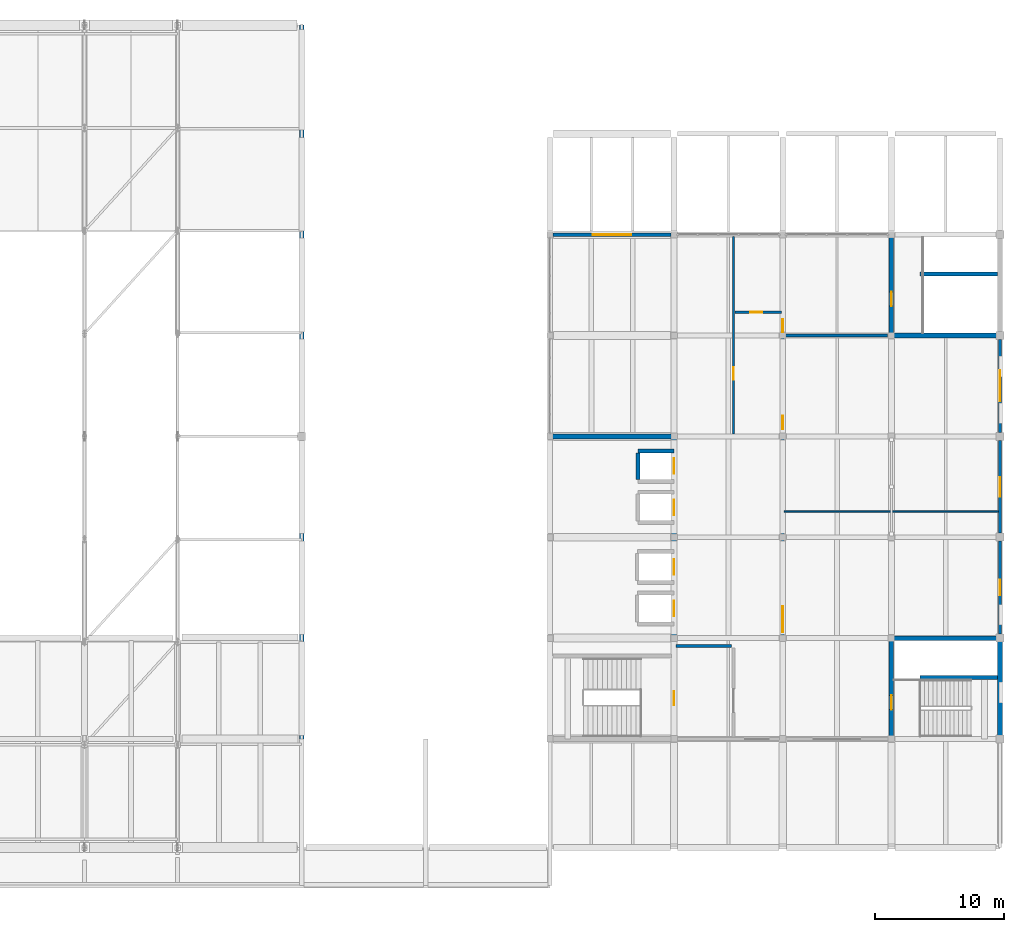
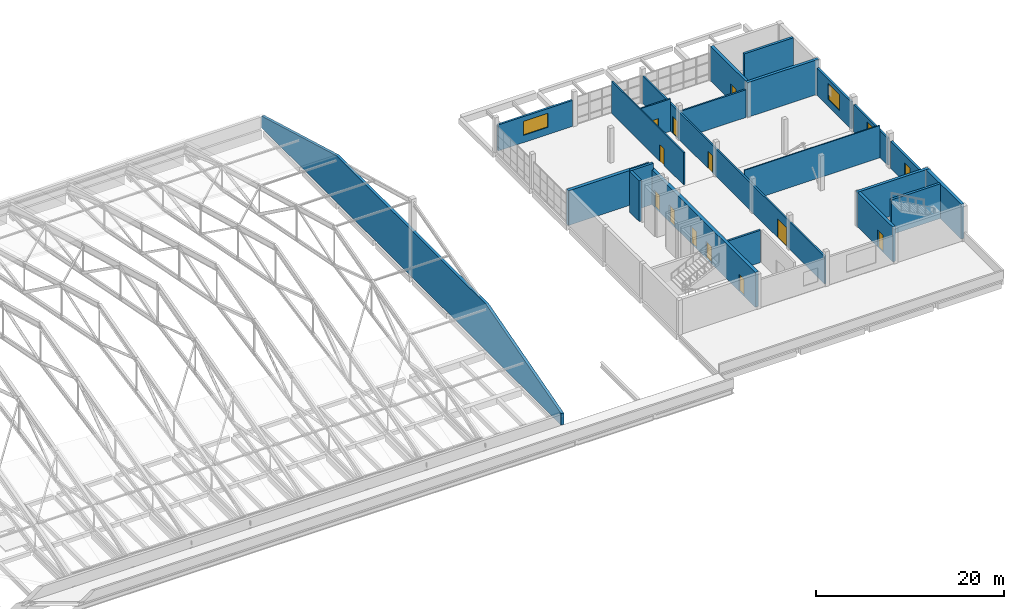
# One storey, part 50 of 53: 22 walls, 12 doors, 4 windows, 16 openings.
"""IFC4 building model written with IfcOpenShell, lengths in metres."""

from ifc_helpers import new_model, si_unit, direction, frame, frame_2d, origin, place, context, subcontext, project, spatial, polyline, rectangle, outline, extrude, material, layer, layer_set, type_object, element, fill, save


model = new_model("IFC4")

# Units and contexts
model_context = context("Model", 3, precision=1e-05, world=origin(), true_north=direction((0.0, 1.0)))
body_context = subcontext(model_context, "Body", "Model", "MODEL_VIEW")
ifc_project = project(units=[si_unit("LENGTHUNIT", "METRE"), si_unit("AREAUNIT", "SQUARE_METRE"), si_unit("VOLUMEUNIT", "CUBIC_METRE"), si_unit("PLANEANGLEUNIT", "RADIAN"), si_unit("MASSUNIT", "GRAM", prefix="KILO")], contexts=[model_context])

# Site, building, storey
site_placement = place(None, origin())
site = spatial("IfcSite", under=ifc_project, at=site_placement, CompositionType="ELEMENT")
building_placement = place(site_placement, origin())
building = spatial("IfcBuilding", under=site, at=building_placement, Name="Pellamere Symphony Hall", CompositionType="ELEMENT")
storey_placement = place(building_placement, frame((0.0, 0.0, 24.0)))
storey = spatial("IfcBuildingStorey", under=building, at=storey_placement, Name="L05", CompositionType="ELEMENT", Elevation=24.0)

# Wall, opening, window
ifc_material_1 = material(Name="Insulated Zinc Rainscreen Backing Wall Assembly", Category="aluminium")
ifc_layer_1 = layer(ifc_material_1, 0.25, Name="Insulated Zinc Rainscreen Backing Wall Assembly")
ifc_layer_set_1 = layer_set([ifc_layer_1], Name="Insulated Zinc Rainscreen Backing Wall Assembly")
wall_type_1 = type_object("IfcWallType", Name="Exterior Wall EW-04 250mm", PredefinedType="SOLIDWALL", material=ifc_layer_set_1)
wall_1_placement = place(storey_placement, frame((138.25, 77.39990234375, 0.0), z_axis=(0.0, 0.0, 1.0), x_axis=(1.0, 0.0, 0.0)))
wall_1 = element("IfcWall", 1, at=wall_1_placement, inside=storey, type_object=wall_type_1, Name="Exterior Wall EW-04-135 (L05)", PredefinedType="SOLIDWALL", context=body_context, shape_type="SweptSolid", body=[
    extrude(rectangle(XDim=9.10009765625, YDim=0.25, at=frame_2d((4.550048828125, 0.0))), origin(), (0.0, 0.0, 1.0), 3.3701171875),
])
opening_1_placement = place(wall_1_placement, frame((3.050048828125, 0.0, 0.949951171875)))
opening_1 = element("IfcOpeningElement", 2, at=opening_1_placement, cuts=wall_1, Name="Opening W094", PredefinedType="OPENING", context=body_context, shape_type="SweptSolid", body=[
    extrude(rectangle(XDim=3.0, YDim=1.800048828125, at=frame_2d((1.5, 0.89990234375))), frame((0.0, 0.135009765625, 0.0), z_axis=(0.0, -1.0, 0.0), x_axis=(1.0, 0.0, 0.0)), (0.0, 0.0, 1.0), 0.27001953125),
])
ifc_material_2 = material(Name="Thermally Broken Aluminium Triple-Glazed Acoustic Window", Category="aluminium")
window_type_1 = type_object("IfcWindowType", Name="Window WN-16 3000x1800", PartitioningType="TRIPLE_PANEL_VERTICAL", PredefinedType="WINDOW", material=ifc_material_2)
window_1_placement = place(opening_1_placement, origin())
window_1 = element("IfcWindow", 3, at=window_1_placement, inside=storey, type_object=window_type_1, Name="Exterior Window W094 (L05)", OverallHeight=1.800048828125, OverallWidth=3.0, PartitioningType="SINGLE_PANEL", PredefinedType="WINDOW", context=body_context, shape_type="SweptSolid", body=[
    extrude(rectangle(XDim=3.0, YDim=1.800048828125, at=frame_2d((1.5, 0.89990234375))), frame((0.0, 0.030029296875, 0.0), z_axis=(0.0, -1.0, 0.0), x_axis=(1.0, 0.0, 0.0)), (0.0, 0.0, 1.0), 0.06005859375),
])
fill(opening_1, window_1)

wall_2_placement = place(storey_placement, frame((172.800048828125, 46.510009765625, 0.0), z_axis=(0.0, 0.0, 1.0), x_axis=(0.0, 1.0, 0.0)))
wall_2 = element("IfcWall", 4, at=wall_2_placement, inside=storey, type_object=wall_type_1, Name="Exterior Wall EW-04-136 (L05)", PredefinedType="SOLIDWALL", context=body_context, shape_type="SweptSolid", body=[
    extrude(rectangle(XDim=7.179931640625, YDim=0.25, at=frame_2d((3.58984375, 0.0))), origin(), (0.0, 0.0, 1.0), 3.52001953125),
])
opening_2_placement = place(wall_2_placement, frame((2.989990234375, 0.0, 0.89990234375)))
opening_2 = element("IfcOpeningElement", 5, at=opening_2_placement, cuts=wall_2, Name="Opening W095", PredefinedType="OPENING", context=body_context, shape_type="SweptSolid", body=[
    extrude(rectangle(XDim=1.199951171875, YDim=1.64990234375, at=frame_2d((0.60009765625, 0.824951171875))), frame((0.0, 0.135009765625, 0.0), z_axis=(0.0, -1.0, 0.0), x_axis=(1.0, 0.0, 0.0)), (0.0, 0.0, 1.0), 0.27001953125),
])
window_type_2 = type_object("IfcWindowType", Name="Window WN-07 1200x1650", PartitioningType="SINGLE_PANEL", PredefinedType="WINDOW", material=ifc_material_2)
window_2_placement = place(opening_2_placement, origin())
window_2 = element("IfcWindow", 6, at=window_2_placement, inside=storey, type_object=window_type_2, Name="Exterior Window W095 (L05)", OverallHeight=1.64990234375, OverallWidth=1.199951171875, PartitioningType="SINGLE_PANEL", PredefinedType="WINDOW", context=body_context, shape_type="SweptSolid", body=[
    extrude(rectangle(XDim=1.199951171875, YDim=1.64990234375, at=frame_2d((0.60009765625, 0.824951171875))), frame((0.0, 0.030029296875, 0.0), z_axis=(0.0, -1.0, 0.0), x_axis=(1.0, 0.0, 0.0)), (0.0, 0.0, 1.0), 0.06005859375),
])
fill(opening_2, window_2)

wall_3_placement = place(storey_placement, frame((172.800048828125, 54.31005859375, 0.0), z_axis=(0.0, 0.0, 1.0), x_axis=(0.0, 1.0, 0.0)))
wall_3 = element("IfcWall", 7, at=wall_3_placement, inside=storey, type_object=wall_type_1, Name="Exterior Wall EW-04-137 (L05)", PredefinedType="SOLIDWALL", context=body_context, shape_type="SweptSolid", body=[
    extrude(rectangle(XDim=7.179931640625, YDim=0.25, at=frame_2d((3.58984375, 0.0))), origin(), (0.0, 0.0, 1.0), 3.52001953125),
])
opening_3_placement = place(wall_3_placement, frame((2.840087890625, 0.0, 0.89990234375)))
opening_3 = element("IfcOpeningElement", 8, at=opening_3_placement, cuts=wall_3, Name="Opening W096", PredefinedType="OPENING", context=body_context, shape_type="SweptSolid", body=[
    extrude(rectangle(XDim=1.5, YDim=2.10009765625, at=frame_2d((0.75, 1.050048828125))), frame((0.0, 0.135009765625, 0.0), z_axis=(0.0, -1.0, 0.0), x_axis=(1.0, 0.0, 0.0)), (0.0, 0.0, 1.0), 0.27001953125),
])
window_type_3 = type_object("IfcWindowType", Name="Window WN-01 1500x2100", PartitioningType="SINGLE_PANEL", PredefinedType="WINDOW", material=ifc_material_2)
window_3_placement = place(opening_3_placement, origin())
window_3 = element("IfcWindow", 9, at=window_3_placement, inside=storey, type_object=window_type_3, Name="Exterior Window W096 (L05)", OverallHeight=2.10009765625, OverallWidth=1.5, PartitioningType="SINGLE_PANEL", PredefinedType="WINDOW", context=body_context, shape_type="SweptSolid", body=[
    extrude(rectangle(XDim=1.5, YDim=2.10009765625, at=frame_2d((0.75, 1.050048828125))), frame((0.0, 0.030029296875, 0.0), z_axis=(0.0, -1.0, 0.0), x_axis=(1.0, 0.0, 0.0)), (0.0, 0.0, 1.0), 0.06005859375),
])
fill(opening_3, window_3)

wall_4_placement = place(storey_placement, frame((172.800048828125, 62.110107421875, 0.0), z_axis=(0.0, 0.0, 1.0), x_axis=(0.0, 1.0, 0.0)))
wall_4 = element("IfcWall", 10, at=wall_4_placement, inside=storey, type_object=wall_type_1, Name="Exterior Wall EW-04-138 (L05)", PredefinedType="SOLIDWALL", context=body_context, shape_type="SweptSolid", body=[
    extrude(rectangle(XDim=7.179931640625, YDim=0.25, at=frame_2d((3.58984375, 0.0))), origin(), (0.0, 0.0, 1.0), 3.52001953125),
])
opening_4_placement = place(wall_4_placement, frame((2.389892578125, 0.0, 0.89990234375)))
opening_4 = element("IfcOpeningElement", 11, at=opening_4_placement, cuts=wall_4, Name="Opening W097", PredefinedType="OPENING", context=body_context, shape_type="SweptSolid", body=[
    extrude(rectangle(XDim=2.39990234375, YDim=2.10009765625, at=frame_2d((1.199951171875, 1.050048828125))), frame((0.0, 0.135009765625, 0.0), z_axis=(0.0, -1.0, 0.0), x_axis=(1.0, 0.0, 0.0)), (0.0, 0.0, 1.0), 0.27001953125),
])
window_type_4 = type_object("IfcWindowType", Name="Window WN-02 2400x2100", PartitioningType="DOUBLE_PANEL_VERTICAL", PredefinedType="WINDOW", material=ifc_material_2)
window_4_placement = place(opening_4_placement, origin())
window_4 = element("IfcWindow", 12, at=window_4_placement, inside=storey, type_object=window_type_4, Name="Exterior Window W097 (L05)", OverallHeight=2.10009765625, OverallWidth=2.39990234375, PartitioningType="SINGLE_PANEL", PredefinedType="WINDOW", context=body_context, shape_type="SweptSolid", body=[
    extrude(rectangle(XDim=2.39990234375, YDim=2.10009765625, at=frame_2d((1.199951171875, 1.050048828125))), frame((0.0, 0.030029296875, 0.0), z_axis=(0.0, -1.0, 0.0), x_axis=(1.0, 0.0, 0.0)), (0.0, 0.0, 1.0), 0.06005859375),
])
fill(opening_4, window_4)

# Wall
ifc_material_3 = material(Name="Double-Stud STC-65 Acoustic Drywall Partition", Category="gypsum")
ifc_layer_2 = layer(ifc_material_3, 0.239990234375, Name="Double-Stud STC-65 Acoustic Drywall Partition")
ifc_layer_set_2 = layer_set([ifc_layer_2], Name="Double-Stud STC-65 Acoustic Drywall Partition")
wall_type_2 = type_object("IfcWallType", Name="Interior Partition IW-01 240mm", PredefinedType="PARTITIONING", material=ifc_layer_set_2)
wall_5_placement = place(storey_placement, frame((147.760009765625, 45.60009765625, 0.0), z_axis=(0.0, 0.0, 1.0), x_axis=(1.0, 0.0, 0.0)))
element("IfcWall", 13, at=wall_5_placement, inside=storey, type_object=wall_type_2, Name="Interior Partition IW-01-039 (L05)", PredefinedType="PARTITIONING", context=body_context, shape_type="SweptSolid", body=[
    extrude(rectangle(XDim=4.280029296875, YDim=0.239990234375, at=frame_2d((2.14013671875, 0.0))), origin(), (0.0, 0.0, 1.0), 4.18994140625),
])

# Wall, openings, doors
ifc_material_4 = material(Name="Fire-Rated STC-58 Corridor Acoustic Partition", Category="gypsum")
ifc_layer_3 = layer(ifc_material_4, 0.199951171875, Name="Fire-Rated STC-58 Corridor Acoustic Partition")
ifc_layer_set_3 = layer_set([ifc_layer_3], Name="Fire-Rated STC-58 Corridor Acoustic Partition")
wall_type_3 = type_object("IfcWallType", Name="Interior Partition IW-02 200mm", PredefinedType="PARTITIONING", material=ifc_layer_set_3)
wall_6_placement = place(storey_placement, frame((156.0, 38.659912109375, 0.0), z_axis=(0.0, 0.0, 1.0), x_axis=(0.0, 1.0, 0.0)))
wall_6 = element("IfcWall", 14, at=wall_6_placement, inside=storey, type_object=wall_type_3, Name="Interior Partition IW-02-109 (L05)", PredefinedType="PARTITIONING", context=body_context, shape_type="SweptSolid", body=[
    extrude(rectangle(XDim=38.610107421875, YDim=0.199951171875, at=frame_2d((19.30517578125, 0.0))), origin(), (0.0, 0.0, 1.0), 3.570068359375),
])
opening_5_placement = place(wall_6_placement, frame((8.0, 0.0, 0.0)))
opening_5 = element("IfcOpeningElement", 15, at=opening_5_placement, cuts=wall_6, Name="Opening ID-AD1-066", PredefinedType="OPENING", context=body_context, shape_type="SweptSolid", body=[
    extrude(rectangle(XDim=2.0, YDim=2.449951171875, at=frame_2d((1.0, 1.22509765625))), frame((0.0, 0.10986328125, 0.0), z_axis=(0.0, -1.0, 0.0), x_axis=(1.0, 0.0, 0.0)), (0.0, 0.0, 1.0), 0.219970703125),
])
opening_6_placement = place(wall_6_placement, frame((23.699951171875, 0.0, 0.0)))
opening_6 = element("IfcOpeningElement", 16, at=opening_6_placement, cuts=wall_6, Name="Opening ID-AD2-067", PredefinedType="OPENING", context=body_context, shape_type="SweptSolid", body=[
    extrude(rectangle(XDim=1.050048828125, YDim=2.25, at=frame_2d((0.52490234375, 1.125))), frame((0.0, 0.10986328125, 0.0), z_axis=(0.0, -1.0, 0.0), x_axis=(1.0, 0.0, 0.0)), (0.0, 0.0, 1.0), 0.219970703125),
])
opening_7_placement = place(wall_6_placement, frame((31.199951171875, 0.0, 0.0)))
opening_7 = element("IfcOpeningElement", 17, at=opening_7_placement, cuts=wall_6, Name="Opening ID-FD2-068", PredefinedType="OPENING", context=body_context, shape_type="SweptSolid", body=[
    extrude(rectangle(XDim=1.0, YDim=2.199951171875, at=frame_2d((0.5, 1.10009765625))), frame((0.0, 0.10986328125, 0.0), z_axis=(0.0, -1.0, 0.0), x_axis=(1.0, 0.0, 0.0)), (0.0, 0.0, 1.0), 0.219970703125),
])
ifc_material_5 = material(Name="STC-55 Solid White Oak Acoustic Hall Entry Door", Category="wood")
door_type_1 = type_object("IfcDoorType", Name="Interior Door ID-AD1 2000x2450", OperationType="NOTDEFINED", PredefinedType="DOOR", material=ifc_material_5)
door_1_placement = place(opening_5_placement, origin())
door_1 = element("IfcDoor", 18, at=door_1_placement, inside=storey, type_object=door_type_1, Name="Masterclass Recital Salon Door", OperationType="DOUBLE_DOOR_SINGLE_SWING", OverallHeight=2.449951171875, OverallWidth=2.0, PredefinedType="DOOR", context=body_context, shape_type="SweptSolid", body=[
    extrude(rectangle(XDim=2.0, YDim=2.449951171875, at=frame_2d((1.0, 1.22509765625))), frame((0.0, 0.02490234375, 0.0), z_axis=(0.0, -1.0, 0.0), x_axis=(1.0, 0.0, 0.0)), (0.0, 0.0, 1.0), 0.050048828125),
])
fill(opening_5, door_1)
ifc_material_6 = material(Name="STC-50 Oak Acoustic Studio Door", Category="wood")
door_type_2 = type_object("IfcDoorType", Name="Interior Door ID-AD2 1050x2250", OperationType="NOTDEFINED", PredefinedType="DOOR", material=ifc_material_6)
door_2_placement = place(opening_6_placement, origin())
door_2 = element("IfcDoor", 19, at=door_2_placement, inside=storey, type_object=door_type_2, Name="Spatial Audio Mastering Lab Door", OperationType="SINGLE_SWING_RIGHT", OverallHeight=2.25, OverallWidth=1.050048828125, PredefinedType="DOOR", context=body_context, shape_type="SweptSolid", body=[
    extrude(rectangle(XDim=1.050048828125, YDim=2.25, at=frame_2d((0.52490234375, 1.125))), frame((0.0, 0.02490234375, 0.0), z_axis=(0.0, -1.0, 0.0), x_axis=(1.0, 0.0, 0.0)), (0.0, 0.0, 1.0), 0.050048828125),
])
fill(opening_6, door_2)
ifc_material_7 = material(Name="Fire-Rated Plant and Riser Door", Category="steel")
door_type_3 = type_object("IfcDoorType", Name="Interior Door ID-FD2 1000x2200", OperationType="NOTDEFINED", PredefinedType="DOOR", material=ifc_material_7)
door_3_placement = place(opening_7_placement, origin())
door_3 = element("IfcDoor", 20, at=door_3_placement, inside=storey, type_object=door_type_3, Name="Crown Acoustic Plant Room Door", OperationType="SINGLE_SWING_LEFT", OverallHeight=2.199951171875, OverallWidth=1.0, PredefinedType="DOOR", context=body_context, shape_type="SweptSolid", body=[
    extrude(rectangle(XDim=1.0, YDim=2.199951171875, at=frame_2d((0.5, 1.10009765625))), frame((0.0, 0.02490234375, 0.0), z_axis=(0.0, -1.0, 0.0), x_axis=(1.0, 0.0, 0.0)), (0.0, 0.0, 1.0), 0.050048828125),
])
fill(opening_7, door_3)

# Wall
wall_7_placement = place(storey_placement, frame((156.110107421875, 69.60009765625, 0.0), z_axis=(0.0, 0.0, 1.0), x_axis=(1.0, 0.0, 0.0)))
element("IfcWall", 21, at=wall_7_placement, inside=storey, type_object=wall_type_3, Name="Interior Partition IW-02-112 (L05)", PredefinedType="PARTITIONING", context=body_context, shape_type="SweptSolid", body=[
    extrude(rectangle(XDim=7.97998046875, YDim=0.199951171875, at=frame_2d((3.989990234375, 0.0))), origin(), (0.0, 0.0, 1.0), 3.60009765625),
])

# Wall, opening, door
ifc_material_8 = material(Name="Practice Room STC-55 Isolated Stud Partition", Category="gypsum")
ifc_layer_4 = layer(ifc_material_8, 0.159912109375, Name="Practice Room STC-55 Isolated Stud Partition")
ifc_layer_set_4 = layer_set([ifc_layer_4], Name="Practice Room STC-55 Isolated Stud Partition")
wall_type_4 = type_object("IfcWallType", Name="Interior Partition IW-03 160mm", PredefinedType="PARTITIONING", material=ifc_layer_set_4)
wall_8_placement = place(storey_placement, frame((152.199951171875, 61.97998046875, 0.0), z_axis=(0.0, 0.0, 1.0), x_axis=(0.0, 1.0, 0.0)))
wall_8 = element("IfcWall", 22, at=wall_8_placement, inside=storey, type_object=wall_type_4, Name="Interior Partition IW-03-108 (L05)", PredefinedType="PARTITIONING", context=body_context, shape_type="SweptSolid", body=[
    extrude(rectangle(XDim=15.2900390625, YDim=0.159912109375, at=frame_2d((7.64501953125, 0.0))), origin(), (0.0, 0.0, 1.0), 4.18994140625),
])
opening_8_placement = place(wall_8_placement, frame((4.199951171875, 0.0, 0.0)))
opening_8 = element("IfcOpeningElement", 23, at=opening_8_placement, cuts=wall_8, Name="Opening ID-RM1-065", PredefinedType="OPENING", context=body_context, shape_type="SweptSolid", body=[
    extrude(rectangle(XDim=0.949951171875, YDim=2.14990234375, at=frame_2d((0.47509765625, 1.074951171875))), frame((0.0, 0.08984375, 0.0), z_axis=(0.0, -1.0, 0.0), x_axis=(1.0, 0.0, 0.0)), (0.0, 0.0, 1.0), 0.179931640625),
])
ifc_material_9 = material(Name="Solid-Core White Oak Room Door", Category="wood")
door_type_4 = type_object("IfcDoorType", Name="Interior Door ID-RM1 950x2150", OperationType="NOTDEFINED", PredefinedType="DOOR", material=ifc_material_9)
door_4_placement = place(opening_8_placement, origin())
door_4 = element("IfcDoor", 24, at=door_4_placement, inside=storey, type_object=door_type_4, Name="Visiting Fellows Reading Lounge Door", OperationType="SINGLE_SWING_LEFT", OverallHeight=2.14990234375, OverallWidth=0.949951171875, PredefinedType="DOOR", context=body_context, shape_type="SweptSolid", body=[
    extrude(rectangle(XDim=0.949951171875, YDim=2.14990234375, at=frame_2d((0.47509765625, 1.074951171875))), frame((0.0, 0.02490234375, 0.0), z_axis=(0.0, -1.0, 0.0), x_axis=(1.0, 0.0, 0.0)), (0.0, 0.0, 1.0), 0.050048828125),
])
fill(opening_8, door_4)

# Wall
ifc_material_10 = material(Name="Interior Metal-Stud Gypsum Partition", Category="gypsum")
ifc_layer_5 = layer(ifc_material_10, 0.1298828125, Name="Interior Metal-Stud Gypsum Partition")
ifc_layer_set_5 = layer_set([ifc_layer_5], Name="Interior Metal-Stud Gypsum Partition")
wall_type_5 = type_object("IfcWallType", Name="Interior Partition IW-04 130mm", PredefinedType="PARTITIONING", material=ifc_layer_set_5)
wall_9_placement = place(storey_placement, frame((156.110107421875, 56.0, 0.0), z_axis=(0.0, 0.0, 1.0), x_axis=(1.0, 0.0, 0.0)))
element("IfcWall", 25, at=wall_9_placement, inside=storey, type_object=wall_type_5, Name="Interior Partition IW-04-111 (L05)", PredefinedType="PARTITIONING", context=body_context, shape_type="SweptSolid", body=[
    extrude(rectangle(XDim=16.559814453125, YDim=0.1298828125, at=frame_2d((8.27978515625, 0.0))), origin(), (0.0, 0.0, 1.0), 4.18994140625),
])

# Wall, opening, door
ifc_material_11 = material(Name="Moisture-Resistant Ceramic-Tiled Washroom Wall", Category="gypsum")
ifc_layer_6 = layer(ifc_material_11, 0.179931640625, Name="Moisture-Resistant Ceramic-Tiled Washroom Wall")
ifc_layer_set_6 = layer_set([ifc_layer_6], Name="Moisture-Resistant Ceramic-Tiled Washroom Wall")
wall_type_6 = type_object("IfcWallType", Name="Interior Partition IW-06 180mm", PredefinedType="PARTITIONING", material=ifc_layer_set_6)
wall_10_placement = place(storey_placement, frame((152.300048828125, 71.39990234375, 0.0), z_axis=(0.0, 0.0, 1.0), x_axis=(1.0, 0.0, 0.0)))
wall_10 = element("IfcWall", 26, at=wall_10_placement, inside=storey, type_object=wall_type_6, Name="Interior Partition IW-06-110 (L05)", PredefinedType="PARTITIONING", context=body_context, shape_type="SweptSolid", body=[
    extrude(rectangle(XDim=3.58984375, YDim=0.179931640625, at=frame_2d((1.794921875, 0.0))), origin(), (0.0, 0.0, 1.0), 4.18994140625),
])
opening_9_placement = place(wall_10_placement, frame((1.199951171875, 0.0, 0.0)))
opening_9 = element("IfcOpeningElement", 27, at=opening_9_placement, cuts=wall_10, Name="Opening ID-WC1-069", PredefinedType="OPENING", context=body_context, shape_type="SweptSolid", body=[
    extrude(rectangle(XDim=0.919921875, YDim=2.14990234375, at=frame_2d((0.4599609375, 1.074951171875))), frame((0.0, 0.099853515625, 0.0), z_axis=(0.0, -1.0, 0.0), x_axis=(1.0, 0.0, 0.0)), (0.0, 0.0, 1.0), 0.199951171875),
])
ifc_material_12 = material(Name="Accessible Washroom Privacy Door", Category="wood")
door_type_5 = type_object("IfcDoorType", Name="Interior Door ID-WC1 920x2150", OperationType="NOTDEFINED", PredefinedType="DOOR", material=ifc_material_12)
door_5_placement = place(opening_9_placement, origin())
door_5 = element("IfcDoor", 28, at=door_5_placement, inside=storey, type_object=door_type_5, Name="Crown Studio Accessible WC Door", OperationType="SINGLE_SWING_RIGHT", OverallHeight=2.14990234375, OverallWidth=0.919921875, PredefinedType="DOOR", context=body_context, shape_type="SweptSolid", body=[
    extrude(rectangle(XDim=0.919921875, YDim=2.14990234375, at=frame_2d((0.4599609375, 1.074951171875))), frame((0.0, 0.02490234375, 0.0), z_axis=(0.0, -1.0, 0.0), x_axis=(1.0, 0.0, 0.0)), (0.0, 0.0, 1.0), 0.050048828125),
])
fill(opening_9, door_5)

# Wall
ifc_material_13 = material(Name="Concrete 50 MPa", Category="concrete")
ifc_layer_7 = layer(ifc_material_13, 0.39990234375, Name="Concrete 50 MPa")
ifc_layer_set_7 = layer_set([ifc_layer_7], Name="Concrete 50 MPa")
wall_type_7 = type_object("IfcWallType", Name="Structural Wall SW-02 400mm", PredefinedType="SHEAR", material=ifc_layer_set_7)
wall_11_placement = place(storey_placement, frame((137.800048828125, 61.800048828125, 0.0), z_axis=(0.0, 0.0, 1.0), x_axis=(1.0, 0.0, 0.0)))
element("IfcWall", 29, at=wall_11_placement, inside=storey, type_object=wall_type_7, Name="Core Shear Wall C2 N (L05)", PredefinedType="SHEAR", context=body_context, shape_type="SweptSolid", body=[
    extrude(rectangle(XDim=10.0, YDim=0.39990234375, at=frame_2d((5.0, 0.0))), origin(), (0.0, 0.0, 1.0), 4.5),
])

# Wall, openings, doors
wall_12_placement = place(storey_placement, frame((147.60009765625, 38.60009765625, 0.0), z_axis=(0.0, 0.0, 1.0), x_axis=(0.0, 1.0, 0.0)))
wall_12 = element("IfcWall", 30, at=wall_12_placement, inside=storey, type_object=wall_type_7, Name="Core Shear Wall C2 E (L05)", PredefinedType="SHEAR", context=body_context, shape_type="SweptSolid", body=[
    extrude(rectangle(XDim=23.0, YDim=0.39990234375, at=frame_2d((11.5, 0.0))), origin(), (0.0, 0.0, 1.0), 4.5),
])
opening_10_placement = place(wall_12_placement, frame((9.300048828125, 0.0, 0.0)))
opening_10 = element("IfcOpeningElement", 31, at=opening_10_placement, cuts=wall_12, Name="Opening LD-19", PredefinedType="OPENING", context=body_context, shape_type="SweptSolid", body=[
    extrude(rectangle(XDim=1.199951171875, YDim=2.199951171875, at=frame_2d((0.60009765625, 1.10009765625))), frame((0.0, 0.2099609375, 0.0), z_axis=(0.0, -1.0, 0.0), x_axis=(1.0, 0.0, 0.0)), (0.0, 0.0, 1.0), 0.419921875),
])
opening_11_placement = place(wall_12_placement, frame((12.5, 0.0, 0.0)))
opening_11 = element("IfcOpeningElement", 32, at=opening_11_placement, cuts=wall_12, Name="Opening LD-27", PredefinedType="OPENING", context=body_context, shape_type="SweptSolid", body=[
    extrude(rectangle(XDim=1.199951171875, YDim=2.199951171875, at=frame_2d((0.60009765625, 1.10009765625))), frame((0.0, 0.2099609375, 0.0), z_axis=(0.0, -1.0, 0.0), x_axis=(1.0, 0.0, 0.0)), (0.0, 0.0, 1.0), 0.419921875),
])
opening_12_placement = place(wall_12_placement, frame((17.10009765625, 0.0, 0.0)))
opening_12 = element("IfcOpeningElement", 33, at=opening_12_placement, cuts=wall_12, Name="Opening LD-35", PredefinedType="OPENING", context=body_context, shape_type="SweptSolid", body=[
    extrude(rectangle(XDim=1.199951171875, YDim=2.199951171875, at=frame_2d((0.60009765625, 1.10009765625))), frame((0.0, 0.2099609375, 0.0), z_axis=(0.0, -1.0, 0.0), x_axis=(1.0, 0.0, 0.0)), (0.0, 0.0, 1.0), 0.419921875),
])
opening_13_placement = place(wall_12_placement, frame((20.300048828125, 0.0, 0.0)))
opening_13 = element("IfcOpeningElement", 34, at=opening_13_placement, cuts=wall_12, Name="Opening LD-42", PredefinedType="OPENING", context=body_context, shape_type="SweptSolid", body=[
    extrude(rectangle(XDim=1.199951171875, YDim=2.199951171875, at=frame_2d((0.60009765625, 1.10009765625))), frame((0.0, 0.2099609375, 0.0), z_axis=(0.0, -1.0, 0.0), x_axis=(1.0, 0.0, 0.0)), (0.0, 0.0, 1.0), 0.419921875),
])
opening_14_placement = place(wall_12_placement, frame((2.39990234375, 0.0, 0.0)))
opening_14 = element("IfcOpeningElement", 35, at=opening_14_placement, cuts=wall_12, Name="Opening SD-13", PredefinedType="OPENING", context=body_context, shape_type="SweptSolid", body=[
    extrude(rectangle(XDim=1.10009765625, YDim=2.199951171875, at=frame_2d((0.550048828125, 1.10009765625))), frame((0.0, 0.2099609375, 0.0), z_axis=(0.0, -1.0, 0.0), x_axis=(1.0, 0.0, 0.0)), (0.0, 0.0, 1.0), 0.419921875),
])
ifc_material_14 = material(Name="Stainless Steel AISI 316 Elevator Landing Door", Category="steel")
door_type_6 = type_object("IfcDoorType", Name="Interior Door ID-LD1 1200x2200", OperationType="NOTDEFINED", PredefinedType="DOOR", material=ifc_material_14)
door_6_placement = place(opening_10_placement, origin())
door_6 = element("IfcDoor", 36, at=door_6_placement, inside=storey, type_object=door_type_6, Name="Elevator FFL1 Sliding Landing Door (L05)", OperationType="SLIDING_TO_LEFT", OverallHeight=2.199951171875, OverallWidth=1.199951171875, PredefinedType="DOOR", context=body_context, shape_type="SweptSolid", body=[
    extrude(rectangle(XDim=1.199951171875, YDim=2.199951171875, at=frame_2d((0.60009765625, 1.10009765625))), frame((0.0, 0.02490234375, 0.0), z_axis=(0.0, -1.0, 0.0), x_axis=(1.0, 0.0, 0.0)), (0.0, 0.0, 1.0), 0.050048828125),
])
fill(opening_10, door_6)
door_7_placement = place(opening_11_placement, origin())
door_7 = element("IfcDoor", 37, at=door_7_placement, inside=storey, type_object=door_type_6, Name="Elevator FFL2 Sliding Landing Door (L05)", OperationType="SLIDING_TO_LEFT", OverallHeight=2.199951171875, OverallWidth=1.199951171875, PredefinedType="DOOR", context=body_context, shape_type="SweptSolid", body=[
    extrude(rectangle(XDim=1.199951171875, YDim=2.199951171875, at=frame_2d((0.60009765625, 1.10009765625))), frame((0.0, 0.02490234375, 0.0), z_axis=(0.0, -1.0, 0.0), x_axis=(1.0, 0.0, 0.0)), (0.0, 0.0, 1.0), 0.050048828125),
])
fill(opening_11, door_7)
door_8_placement = place(opening_12_placement, origin())
door_8 = element("IfcDoor", 38, at=door_8_placement, inside=storey, type_object=door_type_6, Name="Elevator PL3 Sliding Landing Door (L05)", OperationType="SLIDING_TO_LEFT", OverallHeight=2.199951171875, OverallWidth=1.199951171875, PredefinedType="DOOR", context=body_context, shape_type="SweptSolid", body=[
    extrude(rectangle(XDim=1.199951171875, YDim=2.199951171875, at=frame_2d((0.60009765625, 1.10009765625))), frame((0.0, 0.02490234375, 0.0), z_axis=(0.0, -1.0, 0.0), x_axis=(1.0, 0.0, 0.0)), (0.0, 0.0, 1.0), 0.050048828125),
])
fill(opening_12, door_8)
door_9_placement = place(opening_13_placement, origin())
door_9 = element("IfcDoor", 39, at=door_9_placement, inside=storey, type_object=door_type_6, Name="Elevator PL4 Sliding Landing Door (L05)", OperationType="SLIDING_TO_RIGHT", OverallHeight=2.199951171875, OverallWidth=1.199951171875, PredefinedType="DOOR", context=body_context, shape_type="SweptSolid", body=[
    extrude(rectangle(XDim=1.199951171875, YDim=2.199951171875, at=frame_2d((0.60009765625, 1.10009765625))), frame((0.0, 0.02490234375, 0.0), z_axis=(0.0, -1.0, 0.0), x_axis=(1.0, 0.0, 0.0)), (0.0, 0.0, 1.0), 0.050048828125),
])
fill(opening_13, door_9)
ifc_material_15 = material(Name="Fire-Rated Steel Exit Stair Door", Category="steel")
door_type_7 = type_object("IfcDoorType", Name="Interior Door ID-SD1 1100x2200", OperationType="NOTDEFINED", PredefinedType="DOOR", material=ifc_material_15)
door_10_placement = place(opening_14_placement, origin())
door_10 = element("IfcDoor", 40, at=door_10_placement, inside=storey, type_object=door_type_7, Name="Core C2 Exit Stair Door (L05)", OperationType="SINGLE_SWING_LEFT", OverallHeight=2.199951171875, OverallWidth=1.10009765625, PredefinedType="DOOR", context=body_context, shape_type="SweptSolid", body=[
    extrude(rectangle(XDim=1.10009765625, YDim=2.199951171875, at=frame_2d((0.550048828125, 1.10009765625))), frame((0.0, 0.02490234375, 0.0), z_axis=(0.0, -1.0, 0.0), x_axis=(1.0, 0.0, 0.0)), (0.0, 0.0, 1.0), 0.050048828125),
])
fill(opening_14, door_10)

# Wall
ifc_material_16 = material(Name="Concrete 40 MPa", Category="concrete")
ifc_layer_8 = layer(ifc_material_16, 0.35009765625, Name="Concrete 40 MPa")
ifc_layer_set_8 = layer_set([ifc_layer_8], Name="Concrete 40 MPa")
wall_type_8 = type_object("IfcWallType", Name="Structural Wall SW-03 350mm", PredefinedType="SHEAR", material=ifc_layer_set_8)
wall_13_placement = place(storey_placement, frame((164.22509765625, 69.60009765625, 0.0), z_axis=(0.0, 0.0, 1.0), x_axis=(1.0, 0.0, 0.0)))
element("IfcWall", 41, at=wall_13_placement, inside=storey, type_object=wall_type_8, Name="Stair ST05 Enclosure Wall S (L05)", PredefinedType="SHEAR", context=body_context, shape_type="SweptSolid", body=[
    extrude(rectangle(XDim=8.75, YDim=0.35009765625, at=frame_2d((4.375, 0.0))), origin(), (0.0, 0.0, 1.0), 4.5),
])

# Wall, opening, door
wall_14_placement = place(storey_placement, frame((164.39990234375, 69.77490234375, 0.0), z_axis=(0.0, 0.0, 1.0), x_axis=(0.0, 1.0, 0.0)))
wall_14 = element("IfcWall", 42, at=wall_14_placement, inside=storey, type_object=wall_type_8, Name="Stair ST05 Enclosure Wall W (L05)", PredefinedType="SHEAR", context=body_context, shape_type="SweptSolid", body=[
    extrude(rectangle(XDim=7.4501953125, YDim=0.35009765625, at=frame_2d((3.72509765625, 0.0))), origin(), (0.0, 0.0, 1.0), 4.5),
])
opening_15_placement = place(wall_14_placement, frame((2.10009765625, 0.0, 0.0)))
opening_15 = element("IfcOpeningElement", 43, at=opening_15_placement, cuts=wall_14, Name="Opening SD-28", PredefinedType="OPENING", context=body_context, shape_type="SweptSolid", body=[
    extrude(rectangle(XDim=1.10009765625, YDim=2.199951171875, at=frame_2d((0.550048828125, 1.10009765625))), frame((0.0, 0.18505859375, 0.0), z_axis=(0.0, -1.0, 0.0), x_axis=(1.0, 0.0, 0.0)), (0.0, 0.0, 1.0), 0.3701171875),
])
door_11_placement = place(opening_15_placement, frame((1.10009765625, 0.0, 0.0), z_axis=(0.0, 0.0, 1.0), x_axis=(-1.0, 0.0, 0.0)))
door_11 = element("IfcDoor", 44, at=door_11_placement, inside=storey, type_object=door_type_7, Name="Exit Stair ST05 Door (L05)", OperationType="SINGLE_SWING_RIGHT", OverallHeight=2.199951171875, OverallWidth=1.10009765625, PredefinedType="DOOR", context=body_context, shape_type="SweptSolid", body=[
    extrude(rectangle(XDim=1.10009765625, YDim=2.199951171875, at=frame_2d((0.550048828125, 1.10009765625))), frame((0.0, 0.02490234375, 0.0), z_axis=(0.0, -1.0, 0.0), x_axis=(1.0, 0.0, 0.0)), (0.0, 0.0, 1.0), 0.050048828125),
])
fill(opening_15, door_11)

# Wall
wall_15_placement = place(storey_placement, frame((164.22509765625, 46.199951171875, 0.0), z_axis=(0.0, 0.0, 1.0), x_axis=(1.0, 0.0, 0.0)))
element("IfcWall", 45, at=wall_15_placement, inside=storey, type_object=wall_type_8, Name="Stair ST06 Enclosure Wall N (L05)", PredefinedType="SHEAR", context=body_context, shape_type="SweptSolid", body=[
    extrude(rectangle(XDim=8.75, YDim=0.35009765625, at=frame_2d((4.375, 0.0))), origin(), (0.0, 0.0, 1.0), 4.5),
])

# Wall, opening, door
wall_16_placement = place(storey_placement, frame((164.39990234375, 38.574951171875, 0.0), z_axis=(0.0, 0.0, 1.0), x_axis=(0.0, 1.0, 0.0)))
wall_16 = element("IfcWall", 46, at=wall_16_placement, inside=storey, type_object=wall_type_8, Name="Stair ST06 Enclosure Wall W (L05)", PredefinedType="SHEAR", context=body_context, shape_type="SweptSolid", body=[
    extrude(rectangle(XDim=7.449951171875, YDim=0.35009765625, at=frame_2d((3.72509765625, 0.0))), origin(), (0.0, 0.0, 1.0), 4.5),
])
opening_16_placement = place(wall_16_placement, frame((2.10009765625, 0.0, 0.0)))
opening_16 = element("IfcOpeningElement", 47, at=opening_16_placement, cuts=wall_16, Name="Opening SD-35", PredefinedType="OPENING", context=body_context, shape_type="SweptSolid", body=[
    extrude(rectangle(XDim=1.10009765625, YDim=2.199951171875, at=frame_2d((0.550048828125, 1.10009765625))), frame((0.0, 0.18505859375, 0.0), z_axis=(0.0, -1.0, 0.0), x_axis=(1.0, 0.0, 0.0)), (0.0, 0.0, 1.0), 0.3701171875),
])
door_12_placement = place(opening_16_placement, frame((1.10009765625, 0.0, 0.0), z_axis=(0.0, 0.0, 1.0), x_axis=(-1.0, 0.0, 0.0)))
door_12 = element("IfcDoor", 48, at=door_12_placement, inside=storey, type_object=door_type_7, Name="Exit Stair ST06 Door (L05)", OperationType="SINGLE_SWING_LEFT", OverallHeight=2.199951171875, OverallWidth=1.10009765625, PredefinedType="DOOR", context=body_context, shape_type="SweptSolid", body=[
    extrude(rectangle(XDim=1.10009765625, YDim=2.199951171875, at=frame_2d((0.550048828125, 1.10009765625))), frame((0.0, 0.02490234375, 0.0), z_axis=(0.0, -1.0, 0.0), x_axis=(1.0, 0.0, 0.0)), (0.0, 0.0, 1.0), 0.050048828125),
])
fill(opening_16, door_12)

# Walls
ifc_layer_9 = layer(ifc_material_16, 0.300048828125, Name="Concrete 40 MPa")
ifc_layer_set_9 = layer_set([ifc_layer_9], Name="Concrete 40 MPa")
wall_type_9 = type_object("IfcWallType", Name="Structural Wall SW-04 300mm", PredefinedType="SHEAR", material=ifc_layer_set_9)
for number, where, z_axis, x_axis, name in (
    (49, (166.625, 74.35009765625, 0.0), (0.0, 0.0, 1.0), (1.0, 0.0, 0.0), "Stair ST05 Discharge Divider Wall (L05)"),
    (50, (166.625, 43.14990234375, 0.0), (0.0, 0.0, 1.0), (1.0, 0.0, 0.0), "Stair ST06 Discharge Divider Wall (L05)"),
):
    element("IfcWall", number, at=place(storey_placement, frame(where, z_axis=z_axis, x_axis=x_axis)), inside=storey, type_object=wall_type_9, Name=name, PredefinedType="SHEAR", context=body_context, shape_type="SweptSolid", body=[
        extrude(rectangle(XDim=5.9951171875, YDim=0.300048828125, at=frame_2d((2.99755859375, 0.0))), origin(), (0.0, 0.0, 1.0), 4.5),
    ])
wall_17_placement = place(storey_placement, frame((144.800048828125, 60.675048828125, 0.0), z_axis=(0.0, 0.0, 1.0), x_axis=(1.0, 0.0, 0.0)))
element("IfcWall", 51, at=wall_17_placement, inside=storey, type_object=wall_type_9, Name="Elevator PL4 Hoistway Wall N (L05)", PredefinedType="SHEAR", context=body_context, shape_type="SweptSolid", body=[
    extrude(rectangle(XDim=2.800048828125, YDim=0.300048828125, at=frame_2d((1.39990234375, 0.0))), origin(), (0.0, 0.0, 1.0), 5.300048828125),
])
wall_18_placement = place(storey_placement, frame((144.800048828125, 58.47509765625, 0.0), z_axis=(0.0, 0.0, 1.0), x_axis=(0.0, 1.0, 0.0)))
element("IfcWall", 52, at=wall_18_placement, inside=storey, type_object=wall_type_9, Name="Elevator PL4 Hoistway Wall W (L05)", PredefinedType="SHEAR", context=body_context, shape_type="SweptSolid", body=[
    extrude(rectangle(XDim=2.0498046875, YDim=0.300048828125, at=frame_2d((1.02490234375, 0.0))), origin(), (0.0, 0.0, 1.0), 5.300048828125),
])
ifc_layer_10 = layer(ifc_material_16, 0.3798828125, Name="Concrete 40 MPa")
ifc_layer_set_10 = layer_set([ifc_layer_10], Name="Concrete 40 MPa")
wall_type_10 = type_object("IfcWallType", Name="Structural Wall SW-07 380mm", PredefinedType="SHEAR", material=ifc_layer_set_10)
wall_19_placement = place(storey_placement, frame((172.800048828125, 38.574951171875, 0.0), z_axis=(0.0, 0.0, 1.0), x_axis=(0.0, 1.0, 0.0)))
element("IfcWall", 53, at=wall_19_placement, inside=storey, type_object=wall_type_10, Name="Stair ST06 Enclosure Wall E (L05)", PredefinedType="SHEAR", context=body_context, shape_type="SweptSolid", body=[
    extrude(rectangle(XDim=7.449951171875, YDim=0.3798828125, at=frame_2d((3.72509765625, 0.0))), origin(), (0.0, 0.0, 1.0), 4.5),
])
ifc_material_17 = material(Name="Precast concrete 40 MPa", Category="concrete")
ifc_layer_11 = layer(ifc_material_17, 0.330078125, Name="Precast concrete 40 MPa")
ifc_layer_set_11 = layer_set([ifc_layer_11], Name="Precast concrete 40 MPa")
wall_type_11 = type_object("IfcWallType", Name="Structural Wall SW-09 330mm", PredefinedType="SOLIDWALL", material=ifc_layer_set_11)
wall_20_placement = place(storey_placement, frame((118.800048828125, 30.0, 0.0), z_axis=(0.0, 0.0, 1.0), x_axis=(0.0, 1.0, 0.0)))
element("IfcWall", 54, at=wall_20_placement, inside=storey, type_object=wall_type_11, Name="Main Hall Crystal Lower Gable Wall E", PredefinedType="SOLIDWALL", context=body_context, shape_type="SweptSolid", body=[
    extrude(outline(polyline([(0.0, 0.0), (63.60009765625, 0.0), (63.60009765625, 1.5), (47.699951171875, 6.0), (15.89990234375, 6.0), (0.0, 1.5), (0.0, 0.0)])), frame((0.0, 0.1650390625, 0.0), z_axis=(0.0, -1.0, 0.0), x_axis=(1.0, 0.0, 0.0)), (0.0, 0.0, 1.0), 0.330078125),
])

save(model, "model.ifc")
